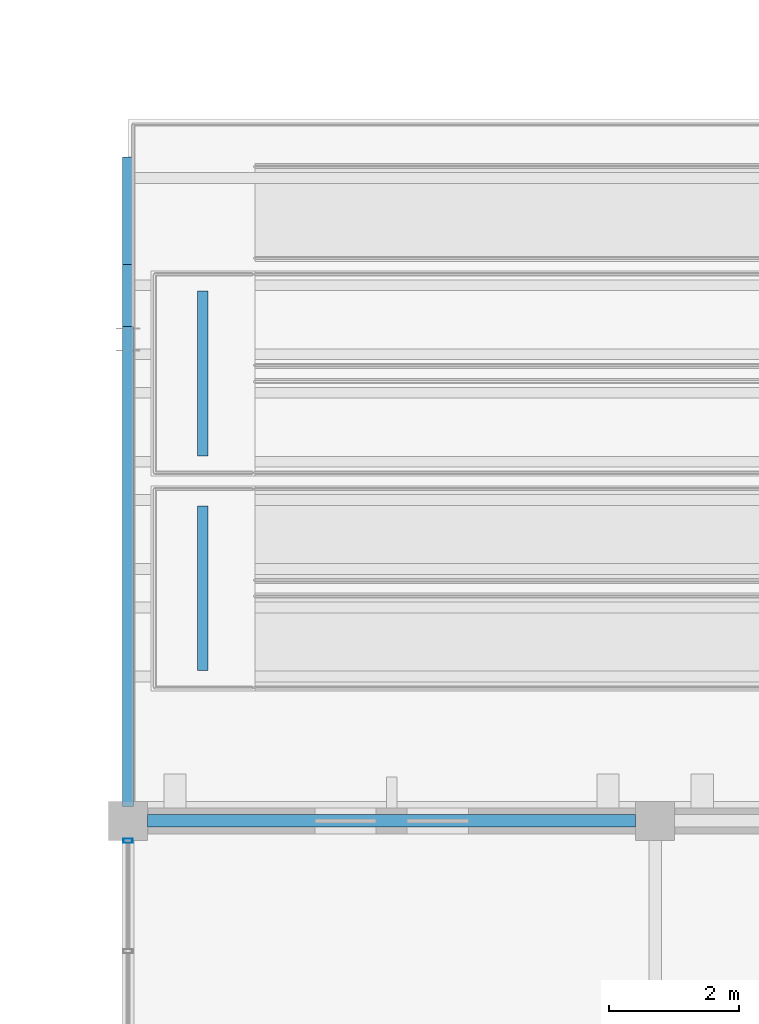
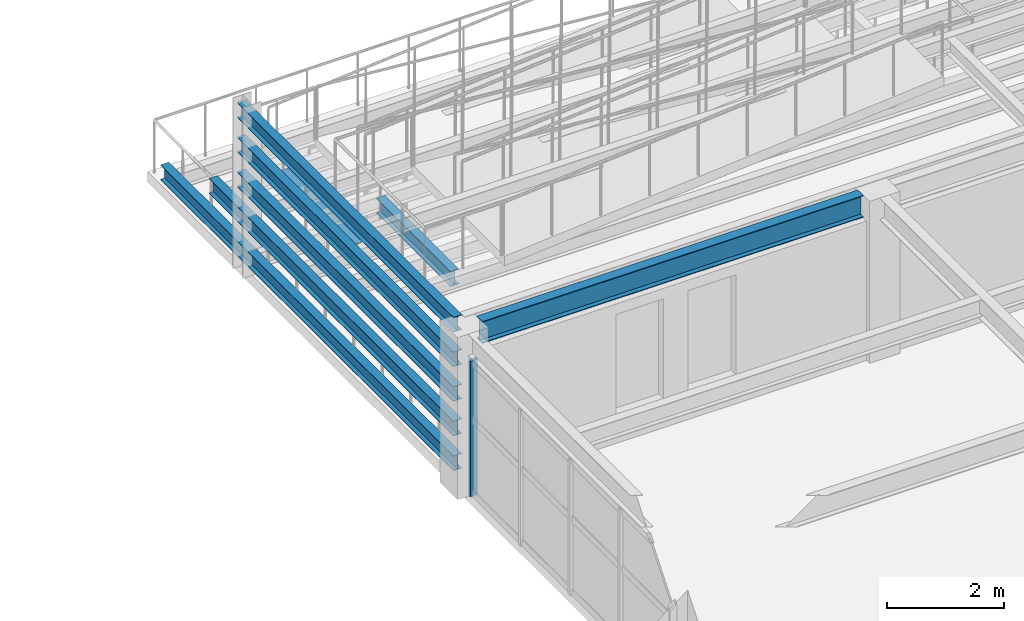
# One storey, part 54 of 121: 8 beams, 1 member, 1 element without a shape of its own.
"""IFC4 building model written with IfcOpenShell, lengths in metres."""

from ifc_helpers import new_model, si_unit, direction, frame, origin, origin_2d, place, context, subcontext, project, spatial, hollow_rectangle, i_section, extrude, material, material_profile, profile_set, type_object, element, aggregate, save


model = new_model("IFC4")

# Units and contexts
model_context = context("Model", 3, precision=1e-05, world=origin(), true_north=direction((0.0, 1.0)))
body_context = subcontext(model_context, "Body", "Model", "MODEL_VIEW")
ifc_project = project(units=[si_unit("LENGTHUNIT", "METRE"), si_unit("AREAUNIT", "SQUARE_METRE"), si_unit("VOLUMEUNIT", "CUBIC_METRE"), si_unit("PLANEANGLEUNIT", "RADIAN"), si_unit("MASSUNIT", "GRAM", prefix="KILO")], contexts=[model_context])

# Site, building, storey
site_placement = place(None, origin())
site = spatial("IfcSite", under=ifc_project, at=site_placement, CompositionType="ELEMENT")
building_placement = place(site_placement, origin())
building = spatial("IfcBuilding", under=site, at=building_placement, Name="Cimatlan Art Gallery", CompositionType="ELEMENT")
storey_placement = place(building_placement, frame((0.0, 0.0, 10.199951171875)))
storey = spatial("IfcBuildingStorey", under=building, at=storey_placement, Name="L02", CompositionType="ELEMENT", Elevation=10.199951171875)

# Beams
ifc_material_1 = material(Name="Steel ASTM A992 Grade 50", Category="steel")
ifc_material_profile_1 = material_profile(ifc_material_1, i_section(OverallWidth=0.1650390625, OverallDepth=0.31005859375, WebThickness=0.005859375, FlangeThickness=0.009765625, at=origin_2d()), Name="W12X26")
ifc_profile_set_1 = profile_set([ifc_material_profile_1], Name="Steel ASTM A992 Grade 50")
beam_type_1 = type_object("IfcBeamType", Name="BM-STL-W12X26", PredefinedType="JOIST", material=ifc_profile_set_1)
beam_1_placement = place(storey_placement, frame((34.39990234375, 90.719970703125, 0.364990234375), z_axis=(0.0, 1.0, 0.0), x_axis=(-1.0, 0.0, 0.0)))
element("IfcBeam", 1, at=beam_1_placement, inside=storey, type_object=beam_type_1, Name="BM-RMP-TER-B2-L1-NSW", PredefinedType="JOIST", context=body_context, shape_type="SweptSolid", body=[
    extrude(i_section(OverallWidth=0.1650390625, OverallDepth=0.31005859375, WebThickness=0.005859375, FlangeThickness=0.009765625, at=origin_2d()), origin(), (0.0, 0.0, 1.0), 9.97998046875),
])
beam_2_placement = place(storey_placement, frame((34.39990234375, 90.719970703125, 1.0849609375), z_axis=(0.0, 1.0, 0.0), x_axis=(-1.0, 0.0, 0.0)))
element("IfcBeam", 2, at=beam_2_placement, inside=storey, type_object=beam_type_1, Name="BM-RMP-TER-B2-L2-NSW", PredefinedType="JOIST", context=body_context, shape_type="SweptSolid", body=[
    extrude(i_section(OverallWidth=0.1650390625, OverallDepth=0.31005859375, WebThickness=0.005859375, FlangeThickness=0.009765625, at=origin_2d()), origin(), (0.0, 0.0, 1.0), 8.330078125),
])
beam_3_placement = place(storey_placement, frame((35.550048828125, 96.110107421875, 1.0849609375), z_axis=(0.0, 1.0, 0.0), x_axis=(-1.0, 0.0, 0.0)))
element("IfcBeam", 3, at=beam_3_placement, inside=storey, type_object=beam_type_1, Name="BM-RMP-TER-B2-L2-X1", PredefinedType="JOIST", context=body_context, shape_type="SweptSolid", body=[
    extrude(i_section(OverallWidth=0.1650390625, OverallDepth=0.31005859375, WebThickness=0.005859375, FlangeThickness=0.009765625, at=origin_2d()), origin(), (0.0, 0.0, 1.0), 2.52978515625),
])
for number, where, z_axis, x_axis, name in (
    (4, (34.39990234375, 90.719970703125, 1.804931640625), (0.0, 1.0, 0.0), (-1.0, 0.0, 0.0), "BM-RMP-TER-B2-L3-NSW"),
    (5, (34.39990234375, 90.719970703125, 2.525146484375), (0.0, 1.0, 0.0), (-1.0, 0.0, 0.0), "BM-RMP-TER-B2-L4-NSW"),
):
    element("IfcBeam", number, at=place(storey_placement, frame(where, z_axis=z_axis, x_axis=x_axis)), inside=storey, type_object=beam_type_1, Name=name, PredefinedType="JOIST", context=body_context, shape_type="SweptSolid", body=[
        extrude(i_section(OverallWidth=0.1650390625, OverallDepth=0.31005859375, WebThickness=0.005859375, FlangeThickness=0.009765625, at=origin_2d()), origin(), (0.0, 0.0, 1.0), 7.380126953125),
    ])
beam_4_placement = place(storey_placement, frame((35.550048828125, 92.81005859375, 2.525146484375), z_axis=(0.0, 1.0, 0.0), x_axis=(-1.0, 0.0, 0.0)))
element("IfcBeam", 6, at=beam_4_placement, inside=storey, type_object=beam_type_1, Name="BM-RMP-TER-B2-L4-X1", PredefinedType="JOIST", context=body_context, shape_type="SweptSolid", body=[
    extrude(i_section(OverallWidth=0.1650390625, OverallDepth=0.31005859375, WebThickness=0.005859375, FlangeThickness=0.009765625, at=origin_2d()), origin(), (0.0, 0.0, 1.0), 2.530029296875),
])
beam_5_placement = place(storey_placement, frame((34.39990234375, 90.719970703125, 3.2451171875), z_axis=(0.0, 1.0, 0.0), x_axis=(-1.0, 0.0, 0.0)))
element("IfcBeam", 7, at=beam_5_placement, inside=storey, type_object=beam_type_1, Name="BM-RMP-TER-B2-L5-NSW", PredefinedType="JOIST", context=body_context, shape_type="SweptSolid", body=[
    extrude(i_section(OverallWidth=0.1650390625, OverallDepth=0.31005859375, WebThickness=0.005859375, FlangeThickness=0.009765625, at=origin_2d()), origin(), (0.0, 0.0, 1.0), 7.380126953125),
])
ifc_material_profile_2 = material_profile(ifc_material_1, i_section(OverallWidth=0.19091796875, OverallDepth=0.45703125, WebThickness=0.009033203125, FlangeThickness=0.014404296875, at=origin_2d()), Name="W18X50")
ifc_profile_set_2 = profile_set([ifc_material_profile_2], Name="Steel ASTM A992 Grade 50")
beam_type_2 = type_object("IfcBeamType", Name="BM-STL-W18X50", PredefinedType="BEAM", material=ifc_profile_set_2)
beam_6_placement = place(storey_placement, frame((34.699951171875, 90.5, 3.1416015625), z_axis=(1.0, 0.0, 0.0), x_axis=(0.0, 1.0, 0.0)))
element("IfcBeam", 8, at=beam_6_placement, inside=storey, type_object=beam_type_2, Name="BM-X-L02-04-12", PredefinedType="BEAM", context=body_context, shape_type="SweptSolid", body=[
    extrude(i_section(OverallWidth=0.19091796875, OverallDepth=0.45703125, WebThickness=0.009033203125, FlangeThickness=0.014404296875, at=origin_2d()), origin(), (0.0, 0.0, 1.0), 7.5),
])

# Curtain wall, member
ifc_material_2 = material(Name="Anodised bronze unitised curtain wall")
curtain_wall_type = type_object("IfcCurtainWallType", Name="CW-V-06792X02823-B4", PredefinedType="NOTDEFINED", material=ifc_material_2)
curtain_wall_placement = place(storey_placement, origin())
curtain_wall = element("IfcCurtainWall", 9, at=curtain_wall_placement, inside=storey, type_object=curtain_wall_type, Name="CW-L02-04-11-W", PredefinedType="NOTDEFINED")
ifc_material_3 = material(Name="Anodised bronze aluminium 6063-T6", Category="aluminium")
ifc_material_profile_3 = material_profile(ifc_material_3, hollow_rectangle(XDim=0.06494140625, YDim=0.139892578125, WallThickness=0.00390625, at=origin_2d()), Name="ALU65X140X4")
ifc_profile_set_3 = profile_set([ifc_material_profile_3], Name="Anodised bronze aluminium 6063-T6")
member_type = type_object("IfcMemberType", Name="CW-MUL-140", PredefinedType="MULLION", material=ifc_profile_set_3)
member_placement = place(storey_placement, frame((34.39990234375, 90.196044921875, 0.0), z_axis=(0.0, 0.0, 1.0), x_axis=(0.0, 1.0, 0.0)))
member = element("IfcMember", 10, at=member_placement, type_object=member_type, Name="CW-L02-04-11-W-M5", PredefinedType="MULLION", context=body_context, shape_type="SweptSolid", body=[
    extrude(hollow_rectangle(XDim=0.06494140625, YDim=0.139892578125, WallThickness=0.00390625, at=origin_2d()), origin(), (0.0, 0.0, 1.0), 2.822998046875),
])
aggregate(curtain_wall, [member])

save(model, "model.ifc")
